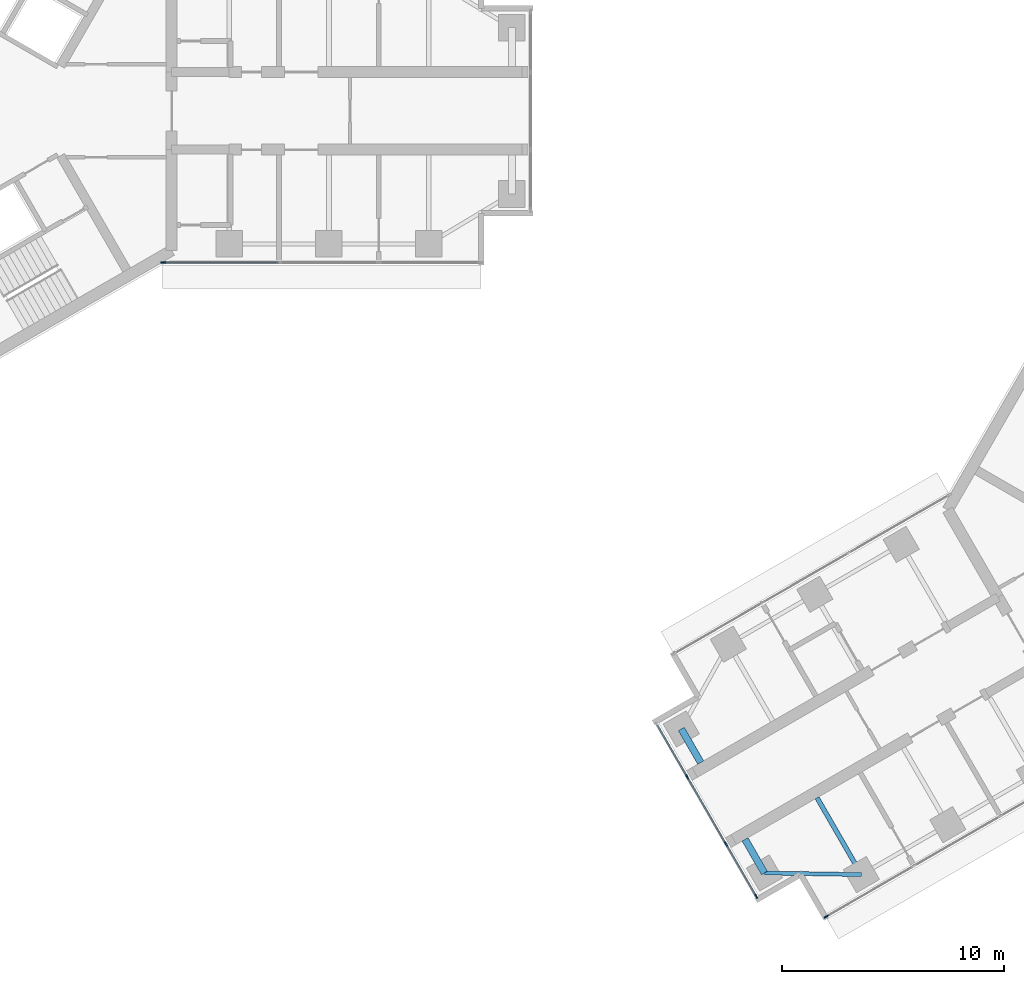
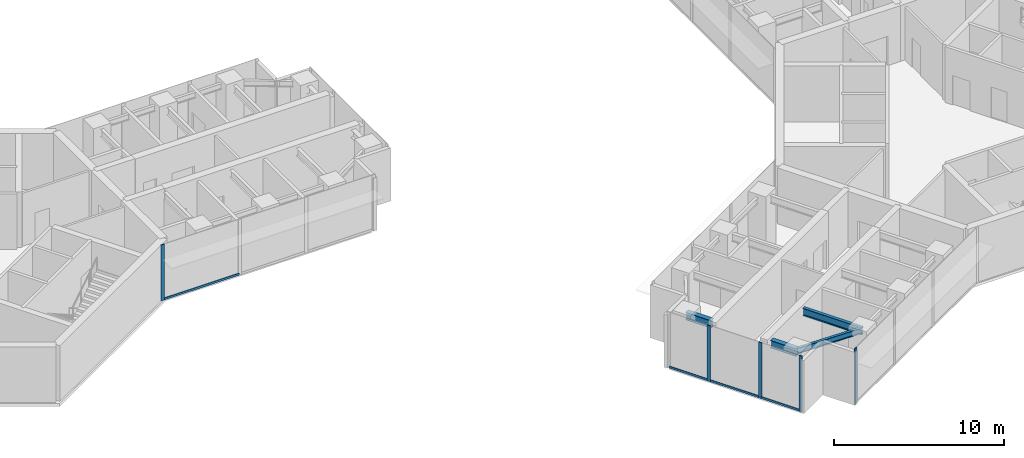
# One storey, part 2 of 17: 9 members, 4 beams, 3 elements without a shape of their own.
"""IFC4 building model written with IfcOpenShell, lengths in metres."""

from ifc_helpers import new_model, si_unit, direction, frame, origin, origin_2d, place, context, subcontext, project, spatial, rectangle, i_section, extrude, material, material_profile, profile_set, type_object, element, aggregate, save


model = new_model("IFC4")

# Units and contexts
model_context = context("Model", 3, precision=1e-05, world=origin(), true_north=direction((0.0, 1.0)))
body_context = subcontext(model_context, "Body", "Model", "MODEL_VIEW")
ifc_project = project(units=[si_unit("LENGTHUNIT", "METRE"), si_unit("AREAUNIT", "SQUARE_METRE"), si_unit("VOLUMEUNIT", "CUBIC_METRE"), si_unit("PLANEANGLEUNIT", "RADIAN"), si_unit("MASSUNIT", "GRAM", prefix="KILO")], contexts=[model_context])

# Site, building, storey
site_placement = place(None, origin())
site = spatial("IfcSite", under=ifc_project, at=site_placement, CompositionType="ELEMENT")
building_placement = place(site_placement, origin())
building = spatial("IfcBuilding", under=site, at=building_placement, Name="Upepo Twin Towers", CompositionType="ELEMENT")
storey_placement = place(building_placement, frame((0.0, 0.0, 190.5)))
storey = spatial("IfcBuildingStorey", under=building, at=storey_placement, Name="L46", CompositionType="ELEMENT", Elevation=190.5)

# Beams
ifc_material_1 = material(Name="Steel S355", Category="steel")
ifc_material_profile_1 = material_profile(ifc_material_1, i_section(OverallWidth=0.177978515625, OverallDepth=0.406494140625, WebThickness=0.0078125, FlangeThickness=0.0126953125, FilletRadius=0.01025390625, at=origin_2d()), Name="UB 406x178x60")
ifc_profile_set_1 = profile_set([ifc_material_profile_1], Name="Steel S355")
beam_type_1 = type_object("IfcBeamType", Name="Beam UB 406x178x60", PredefinedType="BEAM", material=ifc_profile_set_1)
beam_1_placement = place(storey_placement, frame((42.014404296875, -34.446044921875, 3.5966796875), z_axis=(-0.999858804832, 0.016803880528, 0.0), x_axis=(-0.016803880528, -0.999858804832, 0.0)))
element("IfcBeam", 1, at=beam_1_placement, inside=storey, type_object=beam_type_1, Name="T2 nose edge beam BL", PredefinedType="BEAM", context=body_context, shape_type="SweptSolid", body=[
    extrude(i_section(OverallWidth=0.177978515625, OverallDepth=0.406494140625, WebThickness=0.0078125, FlangeThickness=0.0126953125, FilletRadius=0.01025390625, at=origin_2d()), origin(), (0.0, 0.0, 1.0), 4.373291015625),
])
ifc_material_2 = material(Name="Steel S355", Category="steel")
ifc_material_profile_2 = material_profile(ifc_material_2, i_section(OverallWidth=0.209228515625, OverallDepth=0.533203125, WebThickness=0.010009765625, FlangeThickness=0.015625, FilletRadius=0.0126953125, at=origin_2d()), Name="UB 533x210x92")
ifc_profile_set_2 = profile_set([ifc_material_profile_2], Name="Steel S355")
beam_type_2 = type_object("IfcBeamType", Name="Beam UB 533x210x92", PredefinedType="BEAM", material=ifc_profile_set_2)
beam_2_placement = place(storey_placement, frame((42.014404296875, -34.446044921875, 3.533447265625), z_axis=(-0.49999894854, 0.866026010844, 0.0), x_axis=(-0.866026010844, -0.49999894854, 0.0)))
element("IfcBeam", 2, at=beam_2_placement, inside=storey, type_object=beam_type_2, Name="T2 girder BL at 22.5", PredefinedType="BEAM", context=body_context, shape_type="SweptSolid", body=[
    extrude(i_section(OverallWidth=0.209228515625, OverallDepth=0.533203125, WebThickness=0.010009765625, FlangeThickness=0.015625, FilletRadius=0.0126953125, at=origin_2d()), origin(), (0.0, 0.0, 1.0), 4.0),
])
ifc_material_3 = material(Name="Steel S355", Category="steel")
ifc_material_profile_3 = material_profile(ifc_material_3, i_section(OverallWidth=0.31201171875, OverallDepth=0.54345703125, WebThickness=0.0126953125, FlangeThickness=0.020263671875, FilletRadius=0.0126953125, at=origin_2d()), Name="UB 533x312x150")
ifc_profile_set_3 = profile_set([ifc_material_profile_3], Name="Steel S355")
beam_type_3 = type_object("IfcBeamType", Name="Beam UB 533x312x150", PredefinedType="BEAM", material=ifc_profile_set_3)
for number, where, z_axis, x_axis, name in (
    (3, (37.641845703125, -34.37255859375, 3.5283203125), (-0.499980071345, 0.866036909293, 0.0), (-0.866036909293, -0.499980071345, 0.0), "T2 nose beam BL"),
    (4, (33.891845703125, -27.87744140625, 3.5283203125), (0.499980071345, -0.866036909293, 0.0), (0.866036909293, 0.499980071345, 0.0), "T2 nose beam BR"),
):
    element("IfcBeam", number, at=place(storey_placement, frame(where, z_axis=z_axis, x_axis=x_axis)), inside=storey, type_object=beam_type_3, Name=name, PredefinedType="BEAM", context=body_context, shape_type="SweptSolid", body=[
        extrude(i_section(OverallWidth=0.31201171875, OverallDepth=0.54345703125, WebThickness=0.0126953125, FlangeThickness=0.020263671875, FilletRadius=0.0126953125, at=origin_2d()), origin(), (0.0, 0.0, 1.0), 1.75),
    ])

# Curtain wall, member
ifc_material_4 = material(Name="Aluminium and fritted glass", Category="aluminium")
curtain_wall_type = type_object("IfcCurtainWallType", Name="Tower curtain wall TW3, fritted glass", PredefinedType="NOTDEFINED", material=ifc_material_4)
curtain_wall_1_placement = place(storey_placement, origin())
curtain_wall_1 = element("IfcCurtainWall", 5, at=curtain_wall_1_placement, inside=storey, type_object=curtain_wall_type, Name="T1 L46 wing A flank R curtain wall", PredefinedType="NOTDEFINED")
ifc_material_5 = material(Name="Aluminium mullion", Category="aluminium")
ifc_material_profile_4 = material_profile(ifc_material_5, rectangle(XDim=0.06494140625, YDim=0.22509765625, at=origin_2d()), Name="MULLION 65x225")
ifc_profile_set_4 = profile_set([ifc_material_profile_4], Name="Aluminium mullion")
member_type_1 = type_object("IfcMemberType", Name="Mullion 65x225 TW3", PredefinedType="MULLION", material=ifc_profile_set_4)
member_1_placement = place(storey_placement, frame((10.51953125, -6.85009765625, 0.0), z_axis=(0.0, 0.0, 1.0), x_axis=(0.0, -1.0, 0.0)))
member_1 = element("IfcMember", 6, at=member_1_placement, type_object=member_type_1, Name="T1 L46 wing A flank R curtain wall mullion 4", PredefinedType="MULLION", context=body_context, shape_type="SweptSolid", body=[
    extrude(rectangle(XDim=0.06494140625, YDim=0.22509765625, at=origin_2d()), origin(), (0.0, 0.0, 1.0), 4.0),
])

curtain_wall_2_placement = place(storey_placement, origin())
curtain_wall_2 = element("IfcCurtainWall", 7, at=curtain_wall_2_placement, inside=storey, type_object=curtain_wall_type, Name="T2 L46 wing B flank L curtain wall", PredefinedType="NOTDEFINED")
member_2_placement = place(storey_placement, frame((40.432373046875, -36.341064453125, 0.0), z_axis=(0.0, 0.0, 1.0), x_axis=(0.500000026527, -0.866025388469, 0.0)))
member_2 = element("IfcMember", 8, at=member_2_placement, type_object=member_type_1, Name="T2 L46 wing B flank L curtain wall mullion 4", PredefinedType="MULLION", context=body_context, shape_type="SweptSolid", body=[
    extrude(rectangle(XDim=0.06494140625, YDim=0.22509765625, at=origin_2d()), origin(), (0.0, 0.0, 1.0), 4.0),
])
aggregate(curtain_wall_2, [member_2])

# Curtain wall, members
curtain_wall_3_placement = place(storey_placement, origin())
curtain_wall_3 = element("IfcCurtainWall", 9, at=curtain_wall_3_placement, inside=storey, type_object=curtain_wall_type, Name="T2 L46 wing B nose curtain wall", PredefinedType="NOTDEFINED")
member_3_placement = place(storey_placement, frame((34.15576171875, -30.034423828125, 0.0), z_axis=(0.0, 0.0, 1.0), x_axis=(0.866025386174, 0.500000030502, 0.0)))
member_3 = element("IfcMember", 10, at=member_3_placement, type_object=member_type_1, Name="T2 L46 wing B nose curtain wall mullion 2", PredefinedType="MULLION", context=body_context, shape_type="SweptSolid", body=[
    extrude(rectangle(XDim=0.06494140625, YDim=0.22509765625, at=origin_2d()), origin(), (0.0, 0.0, 1.0), 4.0),
])
member_4_placement = place(storey_placement, frame((35.90576171875, -33.0654296875, 0.0), z_axis=(0.0, 0.0, 1.0), x_axis=(0.866025386174, 0.500000030502, 0.0)))
member_4 = element("IfcMember", 11, at=member_4_placement, type_object=member_type_1, Name="T2 L46 wing B nose curtain wall mullion 3", PredefinedType="MULLION", context=body_context, shape_type="SweptSolid", body=[
    extrude(rectangle(XDim=0.06494140625, YDim=0.22509765625, at=origin_2d()), origin(), (0.0, 0.0, 1.0), 4.0),
])
member_5_placement = place(storey_placement, frame((37.264404296875, -35.4189453125, 0.0), z_axis=(0.0, 0.0, 1.0), x_axis=(0.866025386174, 0.500000030502, 0.0)))
member_5 = element("IfcMember", 12, at=member_5_placement, type_object=member_type_1, Name="T2 L46 wing B nose curtain wall mullion 4", PredefinedType="MULLION", context=body_context, shape_type="SweptSolid", body=[
    extrude(rectangle(XDim=0.06494140625, YDim=0.22509765625, at=origin_2d()), origin(), (0.0, 0.0, 1.0), 4.0),
])

# Member
ifc_material_6 = material(Name="Aluminium transom", Category="aluminium")
ifc_material_profile_5 = material_profile(ifc_material_6, rectangle(XDim=0.06494140625, YDim=0.14990234375, at=origin_2d()), Name="TRANSOM 65x150")
ifc_profile_set_5 = profile_set([ifc_material_profile_5], Name="Aluminium transom")
member_type_2 = type_object("IfcMemberType", Name="Transom 65x150 TW3", PredefinedType="USERDEFINED", material=ifc_profile_set_5)
member_6_placement = place(storey_placement, frame((15.717529296875, -6.85009765625, 0.074951171875), z_axis=(-1.0, 0.0, 0.0), x_axis=(0.0, -1.0, 0.0)))
member_6 = element("IfcMember", 13, at=member_6_placement, type_object=member_type_2, Name="T1 L46 wing A flank R curtain wall transom 3", ObjectType="TRANSOM", PredefinedType="USERDEFINED", context=body_context, shape_type="SweptSolid", body=[
    extrude(rectangle(XDim=0.06494140625, YDim=0.14990234375, at=origin_2d()), origin(), (0.0, 0.0, 1.0), 5.16552734375),
])

aggregate(curtain_wall_1, [member_1, member_6])

member_7_placement = place(storey_placement, frame((32.813232421875, -27.709228515625, 0.074951171875), z_axis=(0.499980071345, -0.866036909293, 0.0), x_axis=(0.866036909293, 0.499980071345, 0.0)))
member_7 = element("IfcMember", 14, at=member_7_placement, type_object=member_type_2, Name="T2 L46 wing B nose curtain wall transom 1", ObjectType="TRANSOM", PredefinedType="USERDEFINED", context=body_context, shape_type="SweptSolid", body=[
    extrude(rectangle(XDim=0.06494140625, YDim=0.14990234375, at=origin_2d()), origin(), (0.0, 0.0, 1.0), 2.65234375),
])

member_8_placement = place(storey_placement, frame((34.171875, -30.0625, 0.074951171875), z_axis=(0.499999305434, -0.866025804792, 0.0), x_axis=(0.866025804792, 0.499999305434, 0.0)))
member_8 = element("IfcMember", 15, at=member_8_placement, type_object=member_type_2, Name="T2 L46 wing B nose curtain wall transom 2", ObjectType="TRANSOM", PredefinedType="USERDEFINED", context=body_context, shape_type="SweptSolid", body=[
    extrude(rectangle(XDim=0.06494140625, YDim=0.14990234375, at=origin_2d()), origin(), (0.0, 0.0, 1.0), 3.43505859375),
])

member_9_placement = place(storey_placement, frame((35.921875, -33.09375, 0.074951171875), z_axis=(0.500049101008, -0.865997053448, 0.0), x_axis=(0.865997053448, 0.500049101008, 0.0)))
member_9 = element("IfcMember", 16, at=member_9_placement, type_object=member_type_2, Name="T2 L46 wing B nose curtain wall transom 3", ObjectType="TRANSOM", PredefinedType="USERDEFINED", context=body_context, shape_type="SweptSolid", body=[
    extrude(rectangle(XDim=0.06494140625, YDim=0.14990234375, at=origin_2d()), origin(), (0.0, 0.0, 1.0), 2.652587890625),
])

aggregate(curtain_wall_3, [member_3, member_4, member_5, member_7, member_8, member_9])

save(model, "model.ifc")
